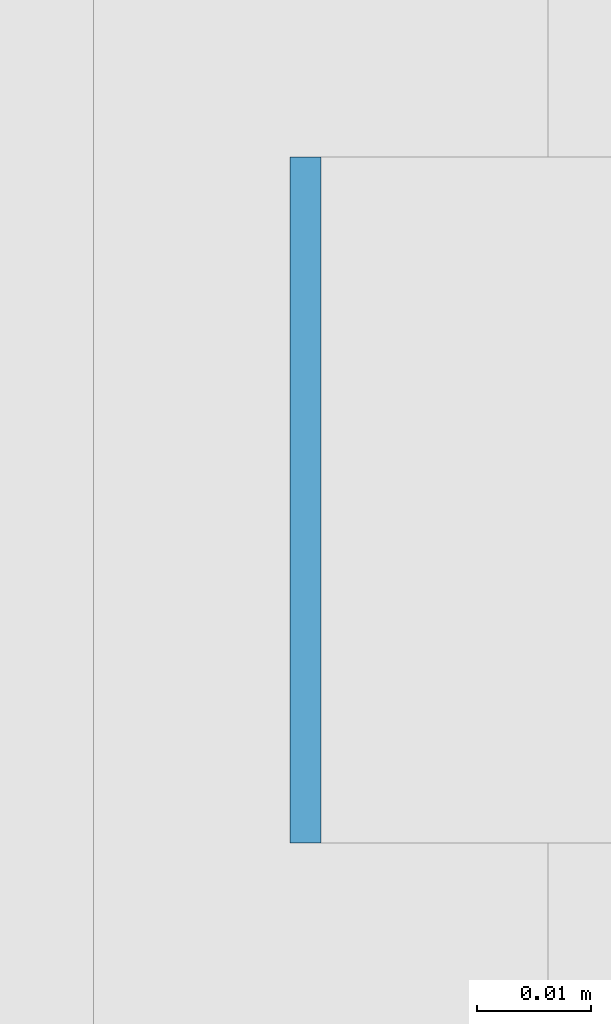
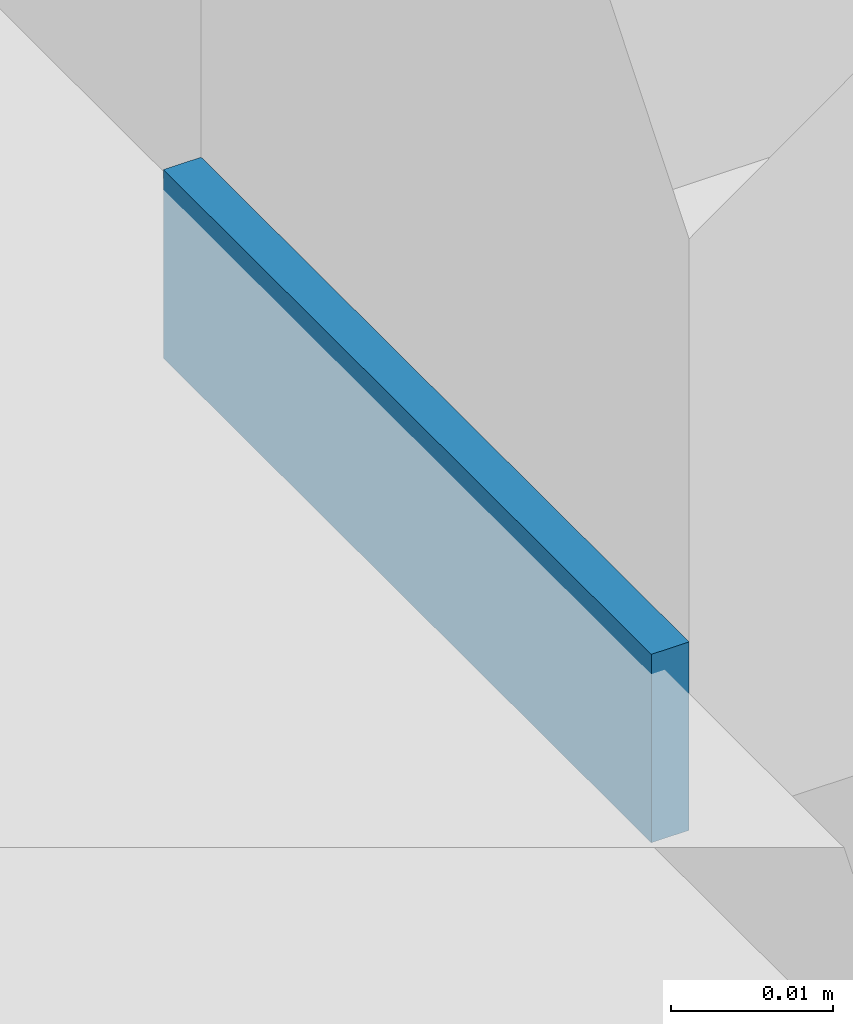
# One storey, part 484 of 646: 1 discrete accessory.
"""IFC4 building model written with IfcOpenShell, lengths in metres."""

import ifcopenshell
import ifcopenshell.guid

model = None  # the IFC model being written
_history = None  # IfcOwnerHistory: only IFC2X3 demands one
_inside = {}  # id of a spatial element -> (the spatial element, [elements in it])
_under = {}  # id of a project, library or spatial element -> (it, [spatial elements below it])
_declared = {}  # id of a project -> (the project, [libraries it declares])
_typed = {}  # id of a type object -> (the type object, [elements of that type])
_made_of = {}  # id of a material, layer set ... -> (it, [elements and type objects made of it])


def new_model(schema):
    """Start an empty IFC model of exactly this schema.

    Asked for "IFC4X3", IfcOpenShell would pick the latest addendum, in which some entities
    have other attributes; the version numbers below select the first issue.
    IFC2X3 requires an IfcOwnerHistory on every rooted entity: one is made here for all.
    """
    global model, _history
    if schema == "IFC4X3":
        model = ifcopenshell.file(schema_version=(4, 3, 0, 0))
    else:
        model = ifcopenshell.file(schema=schema)
    _inside.clear()
    _under.clear()
    _declared.clear()
    _typed.clear()
    _made_of.clear()
    _history = None
    if model.schema == "IFC2X3":
        org = make("IfcOrganization", Name="unknown")
        user = make(
            "IfcPersonAndOrganization",
            ThePerson=make("IfcPerson", FamilyName="unknown"),
            TheOrganization=org,
        )
        app = make(
            "IfcApplication",
            ApplicationDeveloper=org,
            Version="unknown",
            ApplicationFullName="unknown",
            ApplicationIdentifier="unknown",
        )
        _history = make(
            "IfcOwnerHistory",
            OwningUser=user,
            OwningApplication=app,
            ChangeAction="ADDED",
            CreationDate=0,
        )
    return model


def make(cls, **values):
    """One entity of the class cls with the attributes given. An attribute that is None is left unset."""
    return model.create_entity(
        cls, **{name: value for name, value in values.items() if value is not None}
    )


def rooted(cls, **values):
    """An entity with a GlobalId (a new one), such as an element, a storey or a relation."""
    return make(cls, GlobalId=ifcopenshell.guid.new(), OwnerHistory=_history, **values)


def si_unit(unit_type, name, prefix=None):
    """IfcSIUnit, for example si_unit("LENGTHUNIT", "METRE", prefix="MILLI")."""
    return make("IfcSIUnit", UnitType=unit_type, Prefix=prefix, Name=name)


def assignment(units):
    """IfcUnitAssignment: the units of a project."""
    return None if units is None else make("IfcUnitAssignment", Units=units)


def point(xyz):
    """IfcCartesianPoint."""
    return None if xyz is None else make("IfcCartesianPoint", Coordinates=xyz)


def direction(xyz):
    """IfcDirection."""
    return None if xyz is None else make("IfcDirection", DirectionRatios=xyz)


def frame(location, z_axis=None, x_axis=None):
    """IfcAxis2Placement3D, a coordinate frame: its origin and axes. An axis left out is left unset."""
    return make(
        "IfcAxis2Placement3D",
        Location=point(location),
        Axis=direction(z_axis),
        RefDirection=direction(x_axis),
    )


def frame_2d(location, x_axis=None):
    """IfcAxis2Placement2D, a coordinate frame in the plane: its origin and x axis."""
    return make(
        "IfcAxis2Placement2D", Location=point(location), RefDirection=direction(x_axis)
    )


def origin():
    """The frame at (0, 0, 0) with its axes left unset."""
    return frame((0.0, 0.0, 0.0))


def origin_2d():
    """The frame at (0, 0) in the plane with its x axis left unset."""
    return frame_2d((0.0, 0.0))


def place(relative_to, where):
    """IfcLocalPlacement: puts the frame where relative to a parent placement (None: the world)."""
    return make(
        "IfcLocalPlacement", PlacementRelTo=relative_to, RelativePlacement=where
    )


def context(
    kind, dimensions, precision=None, world=None, true_north=None, identifier=None
):
    """IfcGeometricRepresentationContext, for example the 3D "Model" context."""
    return make(
        "IfcGeometricRepresentationContext",
        ContextIdentifier=identifier,
        ContextType=kind,
        CoordinateSpaceDimension=dimensions,
        Precision=precision,
        WorldCoordinateSystem=world,
        TrueNorth=true_north,
    )


def subcontext(parent, identifier, kind, view, scale=None):
    """IfcGeometricRepresentationSubContext, for example "Body" below "Model"."""
    return make(
        "IfcGeometricRepresentationSubContext",
        ContextIdentifier=identifier,
        ContextType=kind,
        ParentContext=parent,
        TargetScale=scale,
        TargetView=view,
    )


def project(units=None, contexts=None):
    """IfcProject with its units and contexts."""
    return rooted(
        "IfcProject",
        Name="project",
        RepresentationContexts=contexts,
        UnitsInContext=assignment(units),
    )


def spatial(cls, under=None, at=None, **own):
    """A site, building, storey or space (cls), placed at a placement, below another one or the project."""
    s = rooted(cls, ObjectPlacement=at, **own)
    if under is not None:
        _under.setdefault(under.id(), (under, []))[1].append(s)
    return s


def profile(cls, at=None, kind="AREA", **sizes):
    """A parametric profile (cls). Its sizes go by their IFC names, for example OverallWidth=200.0."""
    return make(cls, ProfileType=kind, Position=at, **sizes)


def rectangle(**sizes):
    """IfcRectangleProfileDef."""
    return profile("IfcRectangleProfileDef", **sizes)


def extrude(swept, where, along, depth):
    """IfcExtrudedAreaSolid: the profile swept, set in the frame where, extruded along a direction by depth."""
    return make(
        "IfcExtrudedAreaSolid",
        SweptArea=swept,
        Position=where,
        ExtrudedDirection=direction(along),
        Depth=depth,
    )


def shape(context_of_items, identifier, shape_type, items):
    """IfcShapeRepresentation: the items that make up one representation, for example the "Body"."""
    return make(
        "IfcShapeRepresentation",
        ContextOfItems=context_of_items,
        RepresentationIdentifier=identifier,
        RepresentationType=shape_type,
        Items=items,
    )


def material(Name=None, Category=None):
    """IfcMaterial."""
    return make("IfcMaterial", Name=Name, Category=Category)


def made_of(thing, what):
    """Note that an element or type object is made of a material, layer set ...; save() writes the relation."""
    if what is not None:
        _made_of.setdefault(what.id(), (what, []))[1].append(thing)
    return thing


def type_object(cls, material=None, **own):
    """A type object (cls), such as IfcWallType, which elements share."""
    return made_of(rooted(cls, **own), material)


def element(
    cls,
    number,
    at=None,
    inside=None,
    cuts=None,
    type_object=None,
    material=None,
    context=None,
    identifier="Body",
    shape_type=None,
    held_by="IfcProductDefinitionShape",
    body=None,
    shapes=None,
    **own,
):
    """One element of the class cls, such as IfcWall. Its Tag is "e" and its number.

    at: its placement. inside: the storey or other place that contains it. cuts: it is an
    opening in that element (IfcRelVoidsElement). A single representation is given by context,
    identifier, shape_type and body (its items); several are given by shapes. held_by: the class
    of the entity that holds the representations. save() writes the other relations.
    """
    e = rooted(cls, Tag="e%d" % number, ObjectPlacement=at, **own)
    if body is not None:
        shapes = [shape(context, identifier, shape_type, body)]
    if shapes is not None:
        e.Representation = make(held_by, Representations=shapes)
    if inside is not None:
        _inside.setdefault(inside.id(), (inside, []))[1].append(e)
    if cuts is not None:
        rooted(
            "IfcRelVoidsElement", RelatingBuildingElement=cuts, RelatedOpeningElement=e
        )
    if type_object is not None:
        _typed.setdefault(type_object.id(), (type_object, []))[1].append(e)
    return made_of(e, material)


def aggregate(whole, parts):
    """IfcRelAggregates: a whole, such as a stair, and the parts it consists of."""
    return rooted("IfcRelAggregates", RelatingObject=whole, RelatedObjects=parts)


def save(model, path):
    """Write the relations noted so far, then the file.

    IfcRelAggregates (storeys below a building ...), IfcRelContainedInSpatialStructure (elements
    in a storey), IfcRelDefinesByType, IfcRelAssociatesMaterial and IfcRelDeclares: one each for
    every whole, place, type object, material and project.
    """
    for whole, parts in _under.values():
        aggregate(whole, parts)
    for where, things in _inside.values():
        rooted(
            "IfcRelContainedInSpatialStructure",
            RelatedElements=things,
            RelatingStructure=where,
        )
    for kind, things in _typed.values():
        rooted("IfcRelDefinesByType", RelatedObjects=things, RelatingType=kind)
    for what, things in _made_of.values():
        rooted("IfcRelAssociatesMaterial", RelatedObjects=things, RelatingMaterial=what)
    for by, libraries in _declared.values():
        rooted("IfcRelDeclares", RelatingContext=by, RelatedDefinitions=libraries)
    model.write(path)


model = new_model("IFC4")

# Units and contexts
model_context = context("Model", 3, precision=1e-05, world=origin(), true_north=direction((0.0, 1.0)))
body_context = subcontext(model_context, "Body", "Model", "MODEL_VIEW")
ifc_project = project(units=[si_unit("LENGTHUNIT", "METRE"), si_unit("AREAUNIT", "SQUARE_METRE"), si_unit("VOLUMEUNIT", "CUBIC_METRE"), si_unit("PLANEANGLEUNIT", "RADIAN"), si_unit("MASSUNIT", "GRAM", prefix="KILO")], contexts=[model_context])

# Site, building, storey
site_placement = place(None, origin())
site = spatial("IfcSite", under=ifc_project, at=site_placement, CompositionType="ELEMENT")
building_placement = place(site_placement, origin())
building = spatial("IfcBuilding", under=site, at=building_placement, Name="Silverbay Arena", CompositionType="ELEMENT")
storey_placement = place(building_placement, frame((0.0, 0.0, 33.5)))
storey = spatial("IfcBuildingStorey", under=building, at=storey_placement, Name="L05", CompositionType="ELEMENT", Elevation=33.5)

# Discrete accessory
ifc_material = material(Name="Steel S355", Category="steel")
discrete_accessory_type = type_object("IfcDiscreteAccessoryType", Name="Steel bracket plate", PredefinedType="BRACKET", material=ifc_material)
discrete_accessory_placement = place(storey_placement, frame((207.128662109375, 57.857177734375, 4.0), z_axis=(0.0, 0.0, 1.0), x_axis=(1.0, 0.0, 0.0)))
element("IfcDiscreteAccessory", 1, at=discrete_accessory_placement, inside=storey, type_object=discrete_accessory_type, Name="Curtain wall packing plate", PredefinedType="BRACKET", context=body_context, shape_type="SweptSolid", body=[
    extrude(rectangle(XDim=0.002685546875, YDim=0.06005859375, at=origin_2d()), origin(), (0.0, 0.0, 1.0), 0.01416015625),
])

save(model, "model.ifc")
